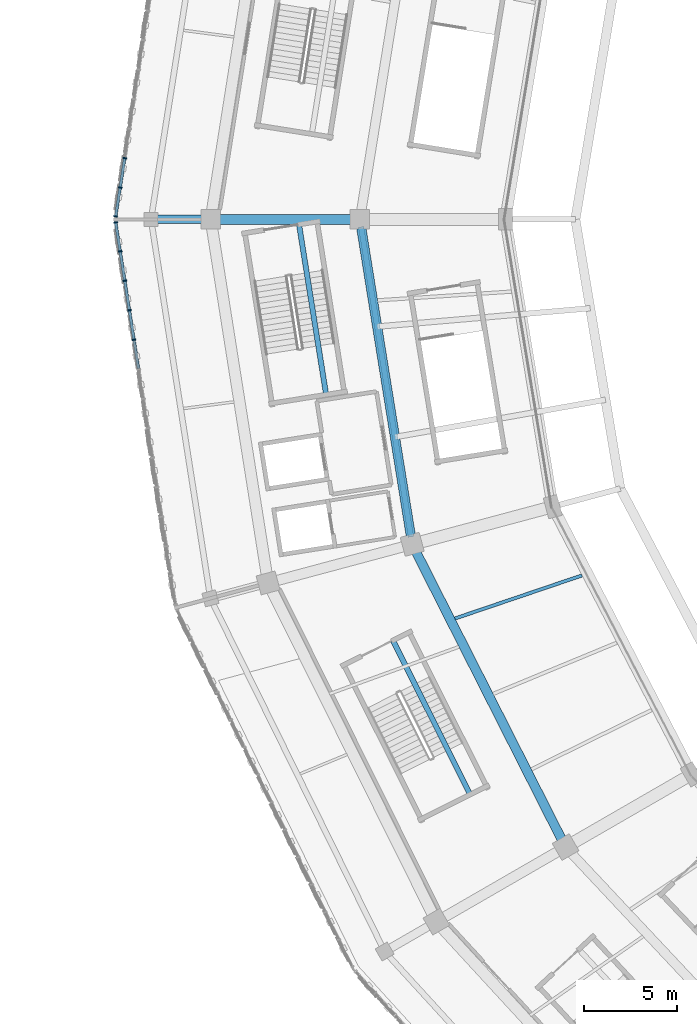
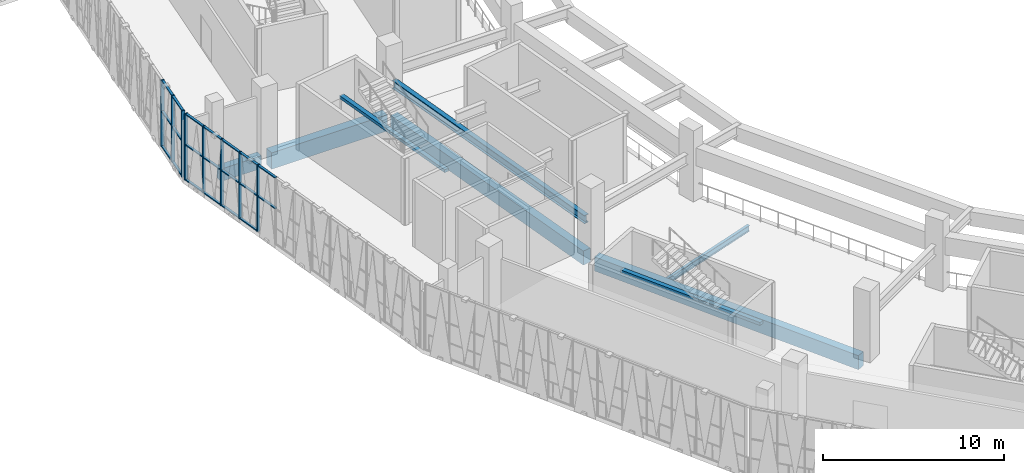
# One storey, part 20 of 179: 28 members, 8 beams, 2 elements without a shape of their own.
"""IFC4 building model written with IfcOpenShell, lengths in metres."""

from ifc_helpers import new_model, si_unit, direction, frame, origin, origin_2d, place, context, subcontext, project, spatial, rectangle, i_section, extrude, material, material_profile, profile_set, type_object, element, aggregate, save


model = new_model("IFC4")

# Units and contexts
model_context = context("Model", 3, precision=1e-05, world=origin(), true_north=direction((0.0, 1.0)))
body_context = subcontext(model_context, "Body", "Model", "MODEL_VIEW")
ifc_project = project(units=[si_unit("LENGTHUNIT", "METRE"), si_unit("AREAUNIT", "SQUARE_METRE"), si_unit("VOLUMEUNIT", "CUBIC_METRE"), si_unit("PLANEANGLEUNIT", "RADIAN"), si_unit("MASSUNIT", "GRAM", prefix="KILO")], contexts=[model_context])

# Site, building, storey
site_placement = place(None, origin())
site = spatial("IfcSite", under=ifc_project, at=site_placement, CompositionType="ELEMENT")
building_placement = place(site_placement, origin())
building = spatial("IfcBuilding", under=site, at=building_placement, Name="Zevraka Park Crest Stadium", CompositionType="ELEMENT")
storey_placement = place(building_placement, frame((0.0, 0.0, 10.199951171875)))
storey = spatial("IfcBuildingStorey", under=building, at=storey_placement, Name="L02", CompositionType="ELEMENT", Elevation=10.199951171875)

# Beams
ifc_material_1 = material(Name="Concrete C40/50", Category="concrete")
ifc_material_profile_1 = material_profile(ifc_material_1, rectangle(XDim=0.550048828125, YDim=1.10009765625, at=origin_2d()), Name="RC 1100x550")
ifc_profile_set_1 = profile_set([ifc_material_profile_1], Name="Concrete C40/50")
beam_type_1 = type_object("IfcBeamType", Name="BG02", PredefinedType="BEAM", material=ifc_profile_set_1)
beam_1_placement = place(storey_placement, frame((29.39990234375, 92.0, -0.56005859375), z_axis=(-1.0, 0.0, 0.0), x_axis=(0.0, -1.0, 0.0)))
element("IfcBeam", 1, at=beam_1_placement, inside=storey, type_object=beam_type_1, Name="Radial Girder BG02 L02-CD-12", PredefinedType="BEAM", context=body_context, shape_type="SweptSolid", body=[
    extrude(rectangle(XDim=0.550048828125, YDim=1.10009765625, at=origin_2d()), origin(), (0.0, 0.0, 1.0), 7.39990234375),
])
ifc_material_2 = material(Name="Concrete C40/50", Category="concrete")
ifc_material_profile_2 = material_profile(ifc_material_2, rectangle(XDim=0.449951171875, YDim=0.85009765625, at=origin_2d()), Name="RC 850x450")
ifc_profile_set_2 = profile_set([ifc_material_profile_2], Name="Concrete C40/50")
beam_type_2 = type_object("IfcBeamType", Name="BG03", PredefinedType="BEAM", material=ifc_profile_set_2)
beam_2_placement = place(storey_placement, frame((21.39990234375, 92.0, -0.43505859375), z_axis=(-1.0, 0.0, 0.0), x_axis=(0.0, -1.0, 0.0)))
element("IfcBeam", 2, at=beam_2_placement, inside=storey, type_object=beam_type_2, Name="Radial Girder BG03 L02-DE-12", PredefinedType="BEAM", context=body_context, shape_type="SweptSolid", body=[
    extrude(rectangle(XDim=0.449951171875, YDim=0.85009765625, at=origin_2d()), origin(), (0.0, 0.0, 1.0), 2.599853515625),
])

# Curtain wall, members
ifc_material_3 = material(Name="Anodised architectural aluminium and laminated safety glass", Category="aluminium")
curtain_wall_type = type_object("IfcCurtainWallType", Name="CW06", PredefinedType="NOTDEFINED", material=ifc_material_3)
curtain_wall_1_placement = place(storey_placement, origin())
curtain_wall_1 = element("IfcCurtainWall", 3, at=curtain_wall_1_placement, inside=storey, type_object=curtain_wall_type, Name="Unitised Ring Curtain Wall CW06 L02-11", PredefinedType="NOTDEFINED")
ifc_material_4 = material(Name="Anodised architectural aluminium", Category="aluminium")
ifc_material_profile_3 = material_profile(ifc_material_4, rectangle(XDim=0.199951171875, YDim=0.070068359375, at=origin_2d()), Name="ALU MULLION 200x70")
ifc_profile_set_3 = profile_set([ifc_material_profile_3], Name="Anodised architectural aluminium")
member_type_1 = type_object("IfcMemberType", Name="CM03", PredefinedType="MULLION", material=ifc_profile_set_3)
member_1_placement = place(storey_placement, frame((17.0947265625, 95.288818359375, 0.0), z_axis=(0.0, 0.0, 1.0), x_axis=(0.988028063865, -0.154274252598, 0.0)))
member_1 = element("IfcMember", 4, at=member_1_placement, type_object=member_type_1, Name="CW06 mullion 12", PredefinedType="MULLION", context=body_context, shape_type="SweptSolid", body=[
    extrude(rectangle(XDim=0.199951171875, YDim=0.070068359375, at=origin_2d()), origin(), (0.0, 0.0, 1.0), 4.5),
])
member_2_placement = place(storey_placement, frame((16.847900390625, 93.707275390625, 0.0), z_axis=(0.0, 0.0, 1.0), x_axis=(0.988028063865, -0.154274252598, 0.0)))
member_2 = element("IfcMember", 5, at=member_2_placement, type_object=member_type_1, Name="CW06 mullion 13", PredefinedType="MULLION", context=body_context, shape_type="SweptSolid", body=[
    extrude(rectangle(XDim=0.199951171875, YDim=0.070068359375, at=origin_2d()), origin(), (0.0, 0.0, 1.0), 4.5),
])
member_3_placement = place(storey_placement, frame((16.6064453125, 92.16064453125, 0.0), z_axis=(0.0, 0.0, 1.0), x_axis=(0.988028063865, -0.154274252598, 0.0)))
member_3 = element("IfcMember", 6, at=member_3_placement, type_object=member_type_1, Name="CW06 mullion 14", PredefinedType="MULLION", context=body_context, shape_type="SweptSolid", body=[
    extrude(rectangle(XDim=0.199951171875, YDim=0.070068359375, at=origin_2d()), origin(), (0.0, 0.0, 1.0), 4.5),
])

curtain_wall_2_placement = place(storey_placement, origin())
curtain_wall_2 = element("IfcCurtainWall", 7, at=curtain_wall_2_placement, inside=storey, type_object=curtain_wall_type, Name="Unitised Ring Curtain Wall CW06 L02-12", PredefinedType="NOTDEFINED")
member_4_placement = place(storey_placement, frame((16.6064453125, 91.83935546875, 0.0), z_axis=(0.0, 0.0, 1.0), x_axis=(0.988028063865, 0.154274252598, 0.0)))
member_4 = element("IfcMember", 8, at=member_4_placement, type_object=member_type_1, Name="CW06 mullion 1", PredefinedType="MULLION", context=body_context, shape_type="SweptSolid", body=[
    extrude(rectangle(XDim=0.199951171875, YDim=0.070068359375, at=origin_2d()), origin(), (0.0, 0.0, 1.0), 4.5),
])
member_5_placement = place(storey_placement, frame((16.847900390625, 90.292724609375, 0.0), z_axis=(0.0, 0.0, 1.0), x_axis=(0.988028063865, 0.154274252598, 0.0)))
member_5 = element("IfcMember", 9, at=member_5_placement, type_object=member_type_1, Name="CW06 mullion 2", PredefinedType="MULLION", context=body_context, shape_type="SweptSolid", body=[
    extrude(rectangle(XDim=0.199951171875, YDim=0.070068359375, at=origin_2d()), origin(), (0.0, 0.0, 1.0), 4.5),
])
member_6_placement = place(storey_placement, frame((17.0947265625, 88.711181640625, 0.0), z_axis=(0.0, 0.0, 1.0), x_axis=(0.988028063865, 0.154274252598, 0.0)))
member_6 = element("IfcMember", 10, at=member_6_placement, type_object=member_type_1, Name="CW06 mullion 3", PredefinedType="MULLION", context=body_context, shape_type="SweptSolid", body=[
    extrude(rectangle(XDim=0.199951171875, YDim=0.070068359375, at=origin_2d()), origin(), (0.0, 0.0, 1.0), 4.5),
])
member_7_placement = place(storey_placement, frame((17.341796875, 87.1298828125, 0.0), z_axis=(0.0, 0.0, 1.0), x_axis=(0.988028063865, 0.154274252598, 0.0)))
member_7 = element("IfcMember", 11, at=member_7_placement, type_object=member_type_1, Name="CW06 mullion 4", PredefinedType="MULLION", context=body_context, shape_type="SweptSolid", body=[
    extrude(rectangle(XDim=0.199951171875, YDim=0.070068359375, at=origin_2d()), origin(), (0.0, 0.0, 1.0), 4.5),
])
member_8_placement = place(storey_placement, frame((17.588623046875, 85.54833984375, 0.0), z_axis=(0.0, 0.0, 1.0), x_axis=(0.988028063865, 0.154274252598, 0.0)))
member_8 = element("IfcMember", 12, at=member_8_placement, type_object=member_type_1, Name="CW06 mullion 5", PredefinedType="MULLION", context=body_context, shape_type="SweptSolid", body=[
    extrude(rectangle(XDim=0.199951171875, YDim=0.070068359375, at=origin_2d()), origin(), (0.0, 0.0, 1.0), 4.5),
])

# Member
ifc_material_5 = material(Name="Anodised architectural aluminium", Category="aluminium")
ifc_material_profile_4 = material_profile(ifc_material_5, rectangle(XDim=0.14990234375, YDim=0.070068359375, at=origin_2d()), Name="ALU TRANSOM 150x70")
ifc_profile_set_4 = profile_set([ifc_material_profile_4], Name="Anodised architectural aluminium")
member_type_2 = type_object("IfcMemberType", Name="CT03", PredefinedType="USERDEFINED", material=ifc_profile_set_4)
member_9_placement = place(storey_placement, frame((17.08935546875, 95.254150390625, 0.03515625), z_axis=(-0.154250362395, -0.988031793872, 0.0), x_axis=(0.988031793872, -0.154250362395, 0.0)))
member_9 = element("IfcMember", 13, at=member_9_placement, type_object=member_type_2, Name="CW06 transom 12.1", ObjectType="TRANSOM", PredefinedType="USERDEFINED", context=body_context, shape_type="SweptSolid", body=[
    extrude(rectangle(XDim=0.14990234375, YDim=0.070068359375, at=origin_2d()), origin(), (0.0, 0.0, 1.0), 1.530517578125),
])

member_10_placement = place(storey_placement, frame((17.08935546875, 95.254150390625, 2.400146484375), z_axis=(-0.154250362395, -0.988031793872, 0.0), x_axis=(0.988031793872, -0.154250362395, 0.0)))
member_10 = element("IfcMember", 14, at=member_10_placement, type_object=member_type_2, Name="CW06 transom 12.2", ObjectType="TRANSOM", PredefinedType="USERDEFINED", context=body_context, shape_type="SweptSolid", body=[
    extrude(rectangle(XDim=0.14990234375, YDim=0.070068359375, at=origin_2d()), origin(), (0.0, 0.0, 1.0), 1.530517578125),
])

member_11_placement = place(storey_placement, frame((17.08935546875, 95.254150390625, 4.465087890625), z_axis=(-0.154250362395, -0.988031793872, 0.0), x_axis=(0.988031793872, -0.154250362395, 0.0)))
member_11 = element("IfcMember", 15, at=member_11_placement, type_object=member_type_2, Name="CW06 transom 12.3", ObjectType="TRANSOM", PredefinedType="USERDEFINED", context=body_context, shape_type="SweptSolid", body=[
    extrude(rectangle(XDim=0.14990234375, YDim=0.070068359375, at=origin_2d()), origin(), (0.0, 0.0, 1.0), 1.530517578125),
])

member_12_placement = place(storey_placement, frame((16.842529296875, 93.6728515625, 0.03515625), z_axis=(-0.154252394741, -0.988031476582, 0.0), x_axis=(0.988031476582, -0.154252394741, 0.0)))
member_12 = element("IfcMember", 16, at=member_12_placement, type_object=member_type_2, Name="CW06 transom 13.1", ObjectType="TRANSOM", PredefinedType="USERDEFINED", context=body_context, shape_type="SweptSolid", body=[
    extrude(rectangle(XDim=0.14990234375, YDim=0.070068359375, at=origin_2d()), origin(), (0.0, 0.0, 1.0), 1.49560546875),
])

member_13_placement = place(storey_placement, frame((16.842529296875, 93.6728515625, 2.400146484375), z_axis=(-0.154252394741, -0.988031476582, 0.0), x_axis=(0.988031476582, -0.154252394741, 0.0)))
member_13 = element("IfcMember", 17, at=member_13_placement, type_object=member_type_2, Name="CW06 transom 13.2", ObjectType="TRANSOM", PredefinedType="USERDEFINED", context=body_context, shape_type="SweptSolid", body=[
    extrude(rectangle(XDim=0.14990234375, YDim=0.070068359375, at=origin_2d()), origin(), (0.0, 0.0, 1.0), 1.49560546875),
])

member_14_placement = place(storey_placement, frame((16.842529296875, 93.6728515625, 4.465087890625), z_axis=(-0.154252394741, -0.988031476582, 0.0), x_axis=(0.988031476582, -0.154252394741, 0.0)))
member_14 = element("IfcMember", 18, at=member_14_placement, type_object=member_type_2, Name="CW06 transom 13.3", ObjectType="TRANSOM", PredefinedType="USERDEFINED", context=body_context, shape_type="SweptSolid", body=[
    extrude(rectangle(XDim=0.14990234375, YDim=0.070068359375, at=origin_2d()), origin(), (0.0, 0.0, 1.0), 1.49560546875),
])

aggregate(curtain_wall_1, [member_1, member_2, member_3, member_9, member_10, member_11, member_12, member_13, member_14])

member_15_placement = place(storey_placement, frame((16.61181640625, 91.804931640625, 0.03515625), z_axis=(0.154252394741, -0.988031476582, 0.0), x_axis=(0.988031476582, 0.154252394741, 0.0)))
member_15 = element("IfcMember", 19, at=member_15_placement, type_object=member_type_2, Name="CW06 transom 1.1", ObjectType="TRANSOM", PredefinedType="USERDEFINED", context=body_context, shape_type="SweptSolid", body=[
    extrude(rectangle(XDim=0.14990234375, YDim=0.070068359375, at=origin_2d()), origin(), (0.0, 0.0, 1.0), 1.49560546875),
])

member_16_placement = place(storey_placement, frame((16.61181640625, 91.804931640625, 2.400146484375), z_axis=(0.154252394741, -0.988031476582, 0.0), x_axis=(0.988031476582, 0.154252394741, 0.0)))
member_16 = element("IfcMember", 20, at=member_16_placement, type_object=member_type_2, Name="CW06 transom 1.2", ObjectType="TRANSOM", PredefinedType="USERDEFINED", context=body_context, shape_type="SweptSolid", body=[
    extrude(rectangle(XDim=0.14990234375, YDim=0.070068359375, at=origin_2d()), origin(), (0.0, 0.0, 1.0), 1.49560546875),
])

member_17_placement = place(storey_placement, frame((16.61181640625, 91.804931640625, 4.465087890625), z_axis=(0.154252394741, -0.988031476582, 0.0), x_axis=(0.988031476582, 0.154252394741, 0.0)))
member_17 = element("IfcMember", 21, at=member_17_placement, type_object=member_type_2, Name="CW06 transom 1.3", ObjectType="TRANSOM", PredefinedType="USERDEFINED", context=body_context, shape_type="SweptSolid", body=[
    extrude(rectangle(XDim=0.14990234375, YDim=0.070068359375, at=origin_2d()), origin(), (0.0, 0.0, 1.0), 1.49560546875),
])

member_18_placement = place(storey_placement, frame((16.853271484375, 90.258056640625, 0.03515625), z_axis=(0.154250362395, -0.988031793872, 0.0), x_axis=(0.988031793872, 0.154250362395, 0.0)))
member_18 = element("IfcMember", 22, at=member_18_placement, type_object=member_type_2, Name="CW06 transom 2.1", ObjectType="TRANSOM", PredefinedType="USERDEFINED", context=body_context, shape_type="SweptSolid", body=[
    extrude(rectangle(XDim=0.14990234375, YDim=0.070068359375, at=origin_2d()), origin(), (0.0, 0.0, 1.0), 1.530517578125),
])

member_19_placement = place(storey_placement, frame((16.853271484375, 90.258056640625, 2.400146484375), z_axis=(0.154250362395, -0.988031793872, 0.0), x_axis=(0.988031793872, 0.154250362395, 0.0)))
member_19 = element("IfcMember", 23, at=member_19_placement, type_object=member_type_2, Name="CW06 transom 2.2", ObjectType="TRANSOM", PredefinedType="USERDEFINED", context=body_context, shape_type="SweptSolid", body=[
    extrude(rectangle(XDim=0.14990234375, YDim=0.070068359375, at=origin_2d()), origin(), (0.0, 0.0, 1.0), 1.530517578125),
])

member_20_placement = place(storey_placement, frame((16.853271484375, 90.258056640625, 4.465087890625), z_axis=(0.154250362395, -0.988031793872, 0.0), x_axis=(0.988031793872, 0.154250362395, 0.0)))
member_20 = element("IfcMember", 24, at=member_20_placement, type_object=member_type_2, Name="CW06 transom 2.3", ObjectType="TRANSOM", PredefinedType="USERDEFINED", context=body_context, shape_type="SweptSolid", body=[
    extrude(rectangle(XDim=0.14990234375, YDim=0.070068359375, at=origin_2d()), origin(), (0.0, 0.0, 1.0), 1.530517578125),
])

member_21_placement = place(storey_placement, frame((17.100341796875, 88.6767578125, 0.03515625), z_axis=(0.154226055514, -0.988035588327, 0.0), x_axis=(0.988035588327, 0.154226055514, 0.0)))
member_21 = element("IfcMember", 25, at=member_21_placement, type_object=member_type_2, Name="CW06 transom 3.1", ObjectType="TRANSOM", PredefinedType="USERDEFINED", context=body_context, shape_type="SweptSolid", body=[
    extrude(rectangle(XDim=0.14990234375, YDim=0.070068359375, at=origin_2d()), origin(), (0.0, 0.0, 1.0), 1.53076171875),
])

member_22_placement = place(storey_placement, frame((17.100341796875, 88.6767578125, 2.400146484375), z_axis=(0.154226055514, -0.988035588327, 0.0), x_axis=(0.988035588327, 0.154226055514, 0.0)))
member_22 = element("IfcMember", 26, at=member_22_placement, type_object=member_type_2, Name="CW06 transom 3.2", ObjectType="TRANSOM", PredefinedType="USERDEFINED", context=body_context, shape_type="SweptSolid", body=[
    extrude(rectangle(XDim=0.14990234375, YDim=0.070068359375, at=origin_2d()), origin(), (0.0, 0.0, 1.0), 1.53076171875),
])

member_23_placement = place(storey_placement, frame((17.100341796875, 88.6767578125, 4.465087890625), z_axis=(0.154226055514, -0.988035588327, 0.0), x_axis=(0.988035588327, 0.154226055514, 0.0)))
member_23 = element("IfcMember", 27, at=member_23_placement, type_object=member_type_2, Name="CW06 transom 3.3", ObjectType="TRANSOM", PredefinedType="USERDEFINED", context=body_context, shape_type="SweptSolid", body=[
    extrude(rectangle(XDim=0.14990234375, YDim=0.070068359375, at=origin_2d()), origin(), (0.0, 0.0, 1.0), 1.53076171875),
])

member_24_placement = place(storey_placement, frame((17.34716796875, 87.09521484375, 0.03515625), z_axis=(0.154250362395, -0.988031793872, 0.0), x_axis=(0.988031793872, 0.154250362395, 0.0)))
member_24 = element("IfcMember", 28, at=member_24_placement, type_object=member_type_2, Name="CW06 transom 4.1", ObjectType="TRANSOM", PredefinedType="USERDEFINED", context=body_context, shape_type="SweptSolid", body=[
    extrude(rectangle(XDim=0.14990234375, YDim=0.070068359375, at=origin_2d()), origin(), (0.0, 0.0, 1.0), 1.530517578125),
])

member_25_placement = place(storey_placement, frame((17.34716796875, 87.09521484375, 2.400146484375), z_axis=(0.154250362395, -0.988031793872, 0.0), x_axis=(0.988031793872, 0.154250362395, 0.0)))
member_25 = element("IfcMember", 29, at=member_25_placement, type_object=member_type_2, Name="CW06 transom 4.2", ObjectType="TRANSOM", PredefinedType="USERDEFINED", context=body_context, shape_type="SweptSolid", body=[
    extrude(rectangle(XDim=0.14990234375, YDim=0.070068359375, at=origin_2d()), origin(), (0.0, 0.0, 1.0), 1.530517578125),
])

member_26_placement = place(storey_placement, frame((17.34716796875, 87.09521484375, 4.465087890625), z_axis=(0.154250362395, -0.988031793872, 0.0), x_axis=(0.988031793872, 0.154250362395, 0.0)))
member_26 = element("IfcMember", 30, at=member_26_placement, type_object=member_type_2, Name="CW06 transom 4.3", ObjectType="TRANSOM", PredefinedType="USERDEFINED", context=body_context, shape_type="SweptSolid", body=[
    extrude(rectangle(XDim=0.14990234375, YDim=0.070068359375, at=origin_2d()), origin(), (0.0, 0.0, 1.0), 1.530517578125),
])

member_27_placement = place(storey_placement, frame((17.593994140625, 85.513916015625, 2.400146484375), z_axis=(0.154406075629, -0.988007471535, 0.0), x_axis=(0.988007471535, 0.154406075629, 0.0)))
member_27 = element("IfcMember", 31, at=member_27_placement, type_object=member_type_2, Name="CW06 transom 5.2", ObjectType="TRANSOM", PredefinedType="USERDEFINED", context=body_context, shape_type="SweptSolid", body=[
    extrude(rectangle(XDim=0.14990234375, YDim=0.070068359375, at=origin_2d()), origin(), (0.0, 0.0, 1.0), 1.530517578125),
])

member_28_placement = place(storey_placement, frame((17.593994140625, 85.513916015625, 4.465087890625), z_axis=(0.154406075629, -0.988007471535, 0.0), x_axis=(0.988007471535, 0.154406075629, 0.0)))
member_28 = element("IfcMember", 32, at=member_28_placement, type_object=member_type_2, Name="CW06 transom 5.3", ObjectType="TRANSOM", PredefinedType="USERDEFINED", context=body_context, shape_type="SweptSolid", body=[
    extrude(rectangle(XDim=0.14990234375, YDim=0.070068359375, at=origin_2d()), origin(), (0.0, 0.0, 1.0), 1.530517578125),
])

aggregate(curtain_wall_2, [member_4, member_5, member_6, member_7, member_8, member_15, member_16, member_17, member_18, member_19, member_20, member_21, member_22, member_23, member_24, member_25, member_26, member_27, member_28])

# Beams
ifc_material_6 = material(Name="Concrete C40/50", Category="concrete")
ifc_material_profile_5 = material_profile(ifc_material_6, rectangle(XDim=0.5, YDim=0.949951171875, at=origin_2d()), Name="RC 950x500")
ifc_profile_set_5 = profile_set([ifc_material_profile_5], Name="Concrete C40/50")
beam_type_3 = type_object("IfcBeamType", Name="RB02", PredefinedType="BEAM", material=ifc_profile_set_5)
beam_3_placement = place(storey_placement, frame((29.760009765625, 91.625, -0.48486328125), z_axis=(0.158975112778, -0.987282590507, 0.0), x_axis=(0.987282590507, 0.158975112778, 0.0)))
element("IfcBeam", 33, at=beam_3_placement, inside=storey, type_object=beam_type_3, Name="Ring Beam RB02 L02-C-12", PredefinedType="BEAM", context=body_context, shape_type="SweptSolid", body=[
    extrude(rectangle(XDim=0.5, YDim=0.949951171875, at=origin_2d()), origin(), (0.0, 0.0, 1.0), 16.883544921875),
])
beam_4_placement = place(storey_placement, frame((32.676025390625, 74.241943359375, -0.48486328125), z_axis=(0.451862275442, -0.892087710953, 0.0), x_axis=(0.892087710953, 0.451862275442, 0.0)))
element("IfcBeam", 34, at=beam_4_placement, inside=storey, type_object=beam_type_3, Name="Ring Beam RB02 L02-C-13", PredefinedType="BEAM", context=body_context, shape_type="SweptSolid", body=[
    extrude(rectangle(XDim=0.5, YDim=0.949951171875, at=origin_2d()), origin(), (0.0, 0.0, 1.0), 17.434326171875),
])
ifc_material_7 = material(Name="Steel S355", Category="steel")
ifc_material_profile_6 = material_profile(ifc_material_7, i_section(OverallWidth=0.300048828125, OverallDepth=0.550048828125, WebThickness=0.014892578125, FlangeThickness=0.029052734375, at=origin_2d()), Name="HEB 550")
ifc_profile_set_6 = profile_set([ifc_material_profile_6], Name="Steel S355")
beam_type_4 = type_object("IfcBeamType", Name="RB04", PredefinedType="BEAM", material=ifc_profile_set_6)
beam_5_placement = place(storey_placement, frame((29.763916015625, 91.60498046875, 2.047119140625), z_axis=(0.158881971129, -0.987297583938, 0.0), x_axis=(0.987297583938, 0.158881971129, 0.0)))
element("IfcBeam", 35, at=beam_5_placement, inside=storey, type_object=beam_type_4, Name="Vomitory Cantilever Anchor Support Beam RB04 12", PredefinedType="BEAM", context=body_context, shape_type="SweptSolid", body=[
    extrude(i_section(OverallWidth=0.300048828125, OverallDepth=0.550048828125, WebThickness=0.014892578125, FlangeThickness=0.029052734375, at=origin_2d()), origin(), (0.0, 0.0, 1.0), 16.8427734375),
])
ifc_material_8 = material(Name="Steel S355", Category="steel")
ifc_material_profile_7 = material_profile(ifc_material_8, i_section(OverallWidth=0.179931640625, OverallDepth=0.39990234375, WebThickness=0.008544921875, FlangeThickness=0.013427734375, at=origin_2d()), Name="IPE 400")
ifc_profile_set_7 = profile_set([ifc_material_profile_7], Name="Steel S355")
beam_type_5 = type_object("IfcBeamType", Name="SJ09", PredefinedType="JOIST", material=ifc_profile_set_7)
beam_6_placement = place(storey_placement, frame((41.60107421875, 72.910888671875, -0.488037109375), z_axis=(-0.947037352852, -0.321123422227, 0.0), x_axis=(0.321123422227, -0.947037352852, 0.0)))
element("IfcBeam", 36, at=beam_6_placement, inside=storey, type_object=beam_type_5, Name="Floor Joist SJ09 L02-BC-13-1", PredefinedType="JOIST", context=body_context, shape_type="SweptSolid", body=[
    extrude(i_section(OverallWidth=0.179931640625, OverallDepth=0.39990234375, WebThickness=0.008544921875, FlangeThickness=0.013427734375, at=origin_2d()), origin(), (0.0, 0.0, 1.0), 7.18994140625),
])
ifc_material_9 = material(Name="Concrete C40/50", Category="concrete")
ifc_material_profile_8 = material_profile(ifc_material_9, rectangle(XDim=0.280029296875, YDim=0.199951171875, at=origin_2d()), Name="RC 200x280")
ifc_profile_set_8 = profile_set([ifc_material_profile_8], Name="Concrete C40/50")
beam_type_6 = type_object("IfcBeamType", Name="SJ13", PredefinedType="JOIST", material=ifc_profile_set_8)
for number, where, z_axis, x_axis, name in (
    (37, (26.440673828125, 91.70263671875, 2.300048828125), (0.157251361722, -0.987558610532, 0.0), (0.987558610532, 0.157251361722, 0.0), "Stair Upper-Flight Longitudinal Stringer SJ13 ST13-L02"),
    (38, (31.481201171875, 69.408447265625, 2.300048828125), (0.447920796254, -0.894073241006, 0.0), (0.894073241006, 0.447920796254, 0.0), "Stair Upper-Flight Longitudinal Stringer SJ13 ST14-L02"),
):
    element("IfcBeam", number, at=place(storey_placement, frame(where, z_axis=z_axis, x_axis=x_axis)), inside=storey, type_object=beam_type_6, Name=name, PredefinedType="JOIST", context=body_context, shape_type="SweptSolid", body=[
        extrude(rectangle(XDim=0.280029296875, YDim=0.199951171875, at=origin_2d()), origin(), (0.0, 0.0, 1.0), 9.25),
    ])

save(model, "model.ifc")
